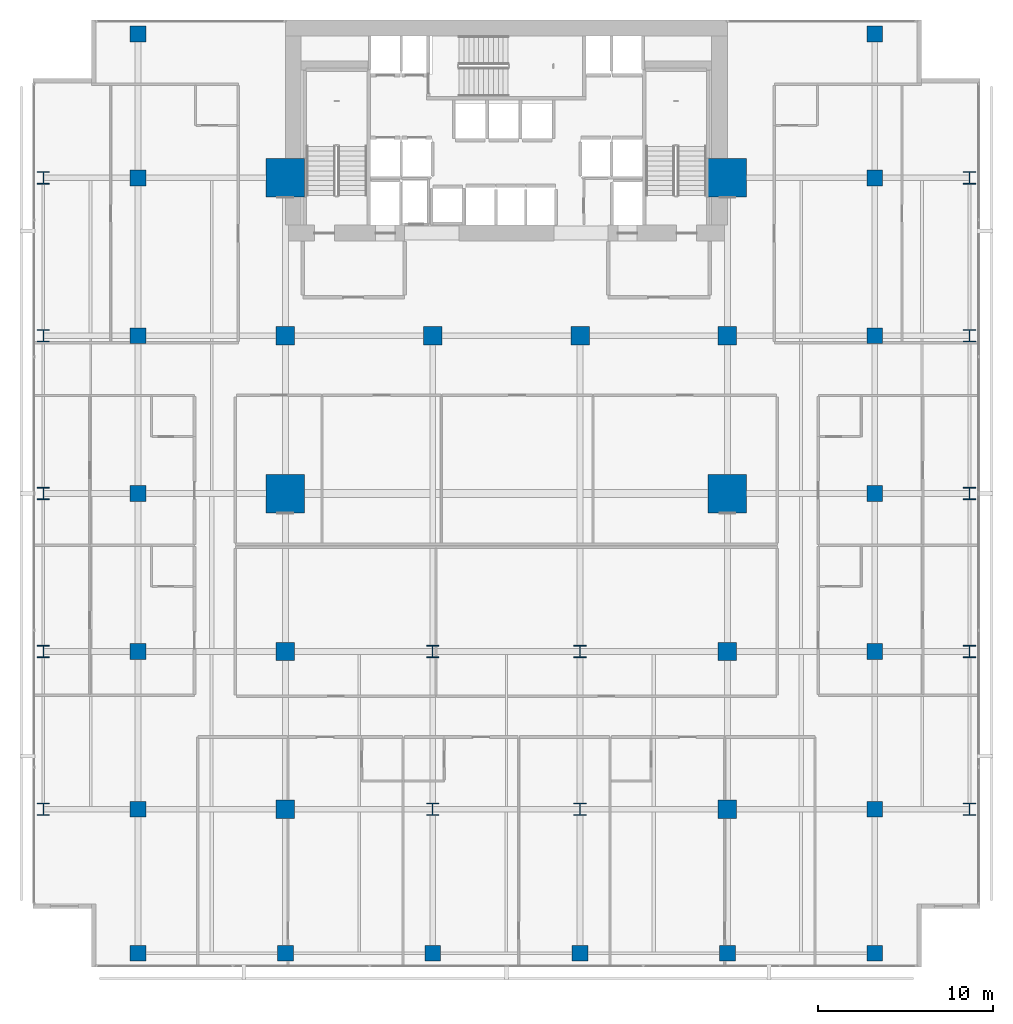
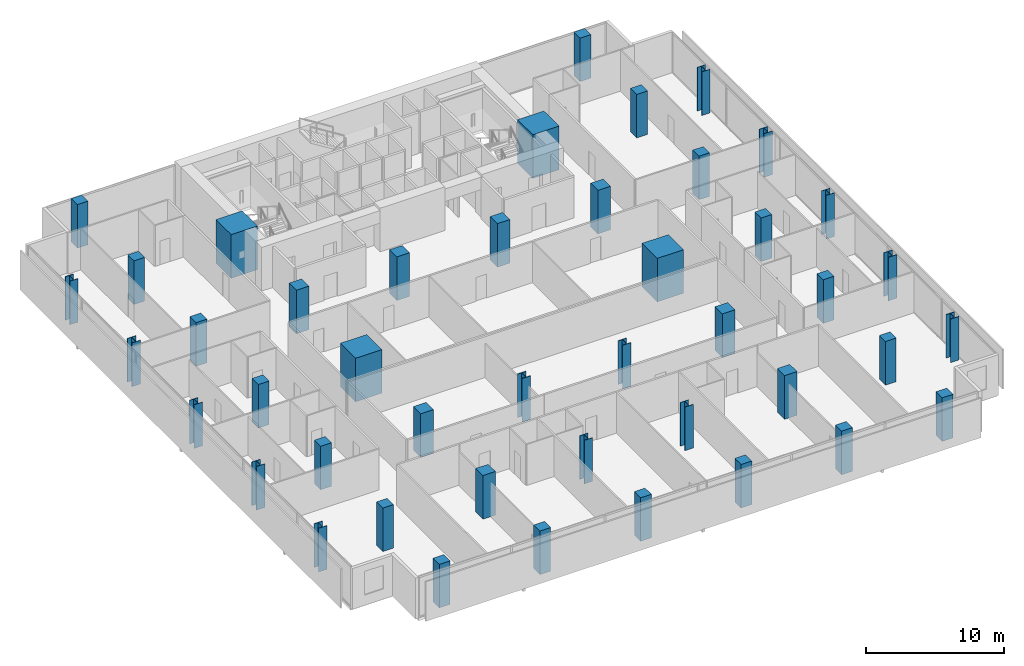
# One storey, part 1 of 39: 44 columns.
"""IFC4 building model written with IfcOpenShell, lengths in metres."""

from ifc_helpers import new_model, si_unit, direction, frame, origin, origin_2d, place, context, subcontext, project, spatial, rectangle, i_section, extrude, material, material_profile, profile_set, type_object, element, save


model = new_model("IFC4")

# Units and contexts
model_context = context("Model", 3, precision=1e-05, world=origin(), true_north=direction((0.0, 1.0)))
body_context = subcontext(model_context, "Body", "Model", "MODEL_VIEW")
ifc_project = project(units=[si_unit("LENGTHUNIT", "METRE"), si_unit("AREAUNIT", "SQUARE_METRE"), si_unit("VOLUMEUNIT", "CUBIC_METRE"), si_unit("PLANEANGLEUNIT", "RADIAN"), si_unit("MASSUNIT", "GRAM", prefix="KILO")], contexts=[model_context])

# Site, building, storey
site_placement = place(None, origin())
site = spatial("IfcSite", under=ifc_project, at=site_placement, CompositionType="ELEMENT")
building_placement = place(site_placement, origin())
building = spatial("IfcBuilding", under=site, at=building_placement, Name="Maruvema Waterfront Hotel and Observation Tower", CompositionType="ELEMENT")
storey_placement = place(building_placement, frame((0.0, 0.0, 69.300048828125)))
storey = spatial("IfcBuildingStorey", under=building, at=storey_placement, Name="L16", CompositionType="ELEMENT", Elevation=69.300048828125)

# Columns
ifc_material_1 = material(Name="Concrete C80/95", Category="concrete")
ifc_material_profile_1 = material_profile(ifc_material_1, rectangle(XDim=2.199951171875, YDim=2.199951171875, at=origin_2d()), Name="MC2200x2200")
ifc_profile_set_1 = profile_set([ifc_material_profile_1], Name="Concrete C80/95")
column_type_1 = type_object("IfcColumnType", Name="Continuous Mega-Column MC2200x2200", PredefinedType="COLUMN", material=ifc_profile_set_1)
for number, where, z_axis, x_axis, name in (
    (1, (25.199951171875, 27.0, 0.0), (0.0, 0.0, 1.0), (1.0, 0.0, 0.0), "L16 Continuous Mega-Column MC-01"),
    (2, (50.39990234375, 27.0, 0.0), (0.0, 0.0, 1.0), (1.0, 0.0, 0.0), "L16 Continuous Mega-Column MC-02"),
    (3, (25.199951171875, 45.0, 0.0), (0.0, 0.0, 1.0), (1.0, 0.0, 0.0), "L16 Continuous Mega-Column MC-03"),
    (4, (50.39990234375, 45.0, 0.0), (0.0, 0.0, 1.0), (1.0, 0.0, 0.0), "L16 Continuous Mega-Column MC-04"),
):
    element("IfcColumn", number, at=place(storey_placement, frame(where, z_axis=z_axis, x_axis=x_axis)), inside=storey, type_object=column_type_1, Name=name, PredefinedType="COLUMN", context=body_context, shape_type="SweptSolid", body=[
        extrude(rectangle(XDim=2.199951171875, YDim=2.199951171875, at=origin_2d()), origin(), (0.0, 0.0, 1.0), 3.849853515625),
    ])
ifc_material_2 = material(Name="Concrete C60/75", Category="concrete")
ifc_material_profile_2 = material_profile(ifc_material_2, rectangle(XDim=1.050048828125, YDim=1.050048828125, at=origin_2d()), Name="RC1050x1050")
ifc_profile_set_2 = profile_set([ifc_material_profile_2], Name="Concrete C60/75")
column_type_2 = type_object("IfcColumnType", Name="Reinforced Concrete Column RC1050x1050", PredefinedType="COLUMN", material=ifc_profile_set_2)
for number, where, z_axis, x_axis, name in (
    (5, (25.199951171875, 36.0, 0.0), (0.0, 0.0, 1.0), (1.0, 0.0, 0.0), "L16 Column C-4E"),
    (6, (33.60009765625, 36.0, 0.0), (0.0, 0.0, 1.0), (1.0, 0.0, 0.0), "L16 Column C-5E"),
    (7, (42.0, 36.0, 0.0), (0.0, 0.0, 1.0), (1.0, 0.0, 0.0), "L16 Column C-6E"),
    (8, (50.39990234375, 36.0, 0.0), (0.0, 0.0, 1.0), (1.0, 0.0, 0.0), "L16 Column C-7E"),
    (9, (25.199951171875, 18.0, 0.0), (0.0, 0.0, 1.0), (1.0, 0.0, 0.0), "L16 Column C-4C"),
    (10, (50.39990234375, 18.0, 0.0), (0.0, 0.0, 1.0), (1.0, 0.0, 0.0), "L16 Column C-7C"),
    (11, (25.199951171875, 9.0, 0.0), (0.0, 0.0, 1.0), (1.0, 0.0, 0.0), "L16 Column C-4B"),
    (12, (50.39990234375, 9.0, 0.0), (0.0, 0.0, 1.0), (1.0, 0.0, 0.0), "L16 Column C-7B"),
):
    element("IfcColumn", number, at=place(storey_placement, frame(where, z_axis=z_axis, x_axis=x_axis)), inside=storey, type_object=column_type_2, Name=name, PredefinedType="COLUMN", context=body_context, shape_type="SweptSolid", body=[
        extrude(rectangle(XDim=1.050048828125, YDim=1.050048828125, at=origin_2d()), origin(), (0.0, 0.0, 1.0), 3.849853515625),
    ])
ifc_material_3 = material(Name="Concrete C60/75", Category="concrete")
ifc_material_profile_3 = material_profile(ifc_material_3, rectangle(XDim=0.89990234375, YDim=0.89990234375, at=origin_2d()), Name="RC900x900")
ifc_profile_set_3 = profile_set([ifc_material_profile_3], Name="Concrete C60/75")
column_type_3 = type_object("IfcColumnType", Name="Reinforced Concrete Column RC900x900", PredefinedType="COLUMN", material=ifc_profile_set_3)
for number, where, z_axis, x_axis, name in (
    (13, (16.800048828125, 9.0, 0.0), (0.0, 0.0, 1.0), (1.0, 0.0, 0.0), "L16 Column C-3Y9"),
    (14, (58.800048828125, 9.0, 0.0), (0.0, 0.0, 1.0), (1.0, 0.0, 0.0), "L16 Column C-8Y9"),
    (15, (16.800048828125, 18.0, 0.0), (0.0, 0.0, 1.0), (1.0, 0.0, 0.0), "L16 Column C-3Y18"),
    (16, (58.800048828125, 18.0, 0.0), (0.0, 0.0, 1.0), (1.0, 0.0, 0.0), "L16 Column C-8Y18"),
    (17, (16.800048828125, 27.0, 0.0), (0.0, 0.0, 1.0), (1.0, 0.0, 0.0), "L16 Column C-3Y27"),
    (18, (58.800048828125, 27.0, 0.0), (0.0, 0.0, 1.0), (1.0, 0.0, 0.0), "L16 Column C-8Y27"),
    (19, (16.800048828125, 36.0, 0.0), (0.0, 0.0, 1.0), (1.0, 0.0, 0.0), "L16 Column C-3Y36"),
    (20, (58.800048828125, 36.0, 0.0), (0.0, 0.0, 1.0), (1.0, 0.0, 0.0), "L16 Column C-8Y36"),
    (21, (16.800048828125, 45.0, 0.0), (0.0, 0.0, 1.0), (1.0, 0.0, 0.0), "L16 Column C-3Y45"),
    (22, (58.800048828125, 45.0, 0.0), (0.0, 0.0, 1.0), (1.0, 0.0, 0.0), "L16 Column C-8Y45"),
    (23, (16.800048828125, 0.800048828125, 0.0), (0.0, 0.0, 1.0), (1.0, 0.0, 0.0), "L16 Column C-3A"),
    (24, (25.199951171875, 0.800048828125, 0.0), (0.0, 0.0, 1.0), (1.0, 0.0, 0.0), "L16 Column C-4A"),
    (25, (33.60009765625, 0.800048828125, 0.0), (0.0, 0.0, 1.0), (1.0, 0.0, 0.0), "L16 Column C-5A"),
    (26, (42.0, 0.800048828125, 0.0), (0.0, 0.0, 1.0), (1.0, 0.0, 0.0), "L16 Column C-6A"),
    (27, (50.39990234375, 0.800048828125, 0.0), (0.0, 0.0, 1.0), (1.0, 0.0, 0.0), "L16 Column C-7A"),
    (28, (58.800048828125, 0.800048828125, 0.0), (0.0, 0.0, 1.0), (1.0, 0.0, 0.0), "L16 Column C-8A"),
    (29, (16.800048828125, 53.199951171875, 0.0), (0.0, 0.0, 1.0), (1.0, 0.0, 0.0), "L16 Column C-3G"),
    (30, (58.800048828125, 53.199951171875, 0.0), (0.0, 0.0, 1.0), (1.0, 0.0, 0.0), "L16 Column C-8G"),
):
    element("IfcColumn", number, at=place(storey_placement, frame(where, z_axis=z_axis, x_axis=x_axis)), inside=storey, type_object=column_type_3, Name=name, PredefinedType="COLUMN", context=body_context, shape_type="SweptSolid", body=[
        extrude(rectangle(XDim=0.89990234375, YDim=0.89990234375, at=origin_2d()), origin(), (0.0, 0.0, 1.0), 3.849853515625),
    ])
ifc_material_4 = material(Name="Steel ABNT NBR 7007 AR 415 (ASTM A572 Grade 50)", Category="steel")
ifc_material_profile_4 = material_profile(ifc_material_4, i_section(OverallWidth=0.699951171875, OverallDepth=0.699951171875, WebThickness=0.028076171875, FlangeThickness=0.0439453125, at=origin_2d()), Name="CVS700x436")
ifc_profile_set_4 = profile_set([ifc_material_profile_4], Name="Steel ABNT NBR 7007 AR 415 (ASTM A572 Grade 50)")
column_type_4 = type_object("IfcColumnType", Name="Structural Steel Column CVS700x436", PredefinedType="COLUMN", material=ifc_profile_set_4)
for number, where, z_axis, x_axis, name in (
    (31, (33.60009765625, 9.0, 0.0), (0.0, 0.0, 1.0), (1.0, 0.0, 0.0), "L16 Column C-5B"),
    (32, (42.0, 9.0, 0.0), (0.0, 0.0, 1.0), (1.0, 0.0, 0.0), "L16 Column C-6B"),
    (33, (33.60009765625, 18.0, 0.0), (0.0, 0.0, 1.0), (1.0, 0.0, 0.0), "L16 Column C-5C"),
    (34, (42.0, 18.0, 0.0), (0.0, 0.0, 1.0), (1.0, 0.0, 0.0), "L16 Column C-6C"),
    (35, (11.39990234375, 9.0, 0.0), (0.0, 0.0, 1.0), (1.0, 0.0, 0.0), "L16 Column C-Z1W9"),
    (36, (64.199951171875, 9.0, 0.0), (0.0, 0.0, 1.0), (1.0, 0.0, 0.0), "L16 Column C-Z1E9"),
    (37, (11.39990234375, 18.0, 0.0), (0.0, 0.0, 1.0), (1.0, 0.0, 0.0), "L16 Column C-Z1W18"),
    (38, (64.199951171875, 18.0, 0.0), (0.0, 0.0, 1.0), (1.0, 0.0, 0.0), "L16 Column C-Z1E18"),
    (39, (11.39990234375, 27.0, 0.0), (0.0, 0.0, 1.0), (1.0, 0.0, 0.0), "L16 Column C-Z1W27"),
    (40, (64.199951171875, 27.0, 0.0), (0.0, 0.0, 1.0), (1.0, 0.0, 0.0), "L16 Column C-Z1E27"),
    (41, (11.39990234375, 36.0, 0.0), (0.0, 0.0, 1.0), (1.0, 0.0, 0.0), "L16 Column C-Z1W36"),
    (42, (64.199951171875, 36.0, 0.0), (0.0, 0.0, 1.0), (1.0, 0.0, 0.0), "L16 Column C-Z1E36"),
    (43, (11.39990234375, 45.0, 0.0), (0.0, 0.0, 1.0), (1.0, 0.0, 0.0), "L16 Column C-Z1W45"),
    (44, (64.199951171875, 45.0, 0.0), (0.0, 0.0, 1.0), (1.0, 0.0, 0.0), "L16 Column C-Z1E45"),
):
    element("IfcColumn", number, at=place(storey_placement, frame(where, z_axis=z_axis, x_axis=x_axis)), inside=storey, type_object=column_type_4, Name=name, PredefinedType="COLUMN", context=body_context, shape_type="SweptSolid", body=[
        extrude(i_section(OverallWidth=0.699951171875, OverallDepth=0.699951171875, WebThickness=0.028076171875, FlangeThickness=0.0439453125, at=origin_2d()), origin(), (0.0, 0.0, 1.0), 3.849853515625),
    ])

save(model, "model.ifc")
